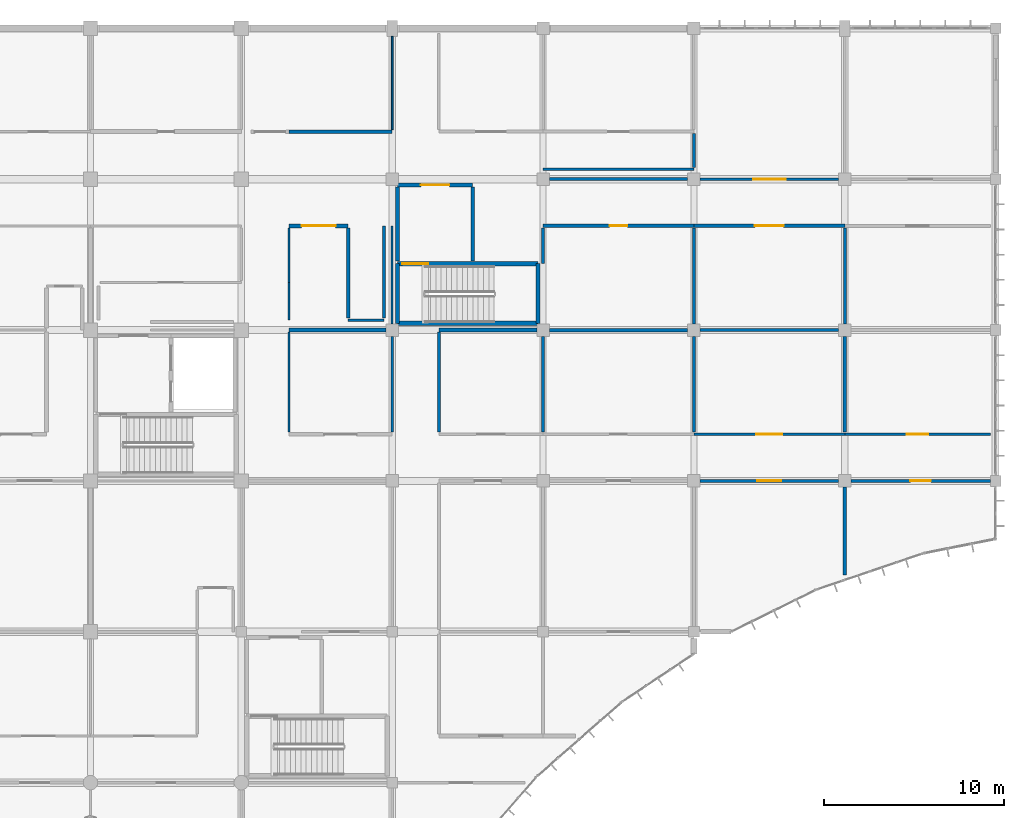
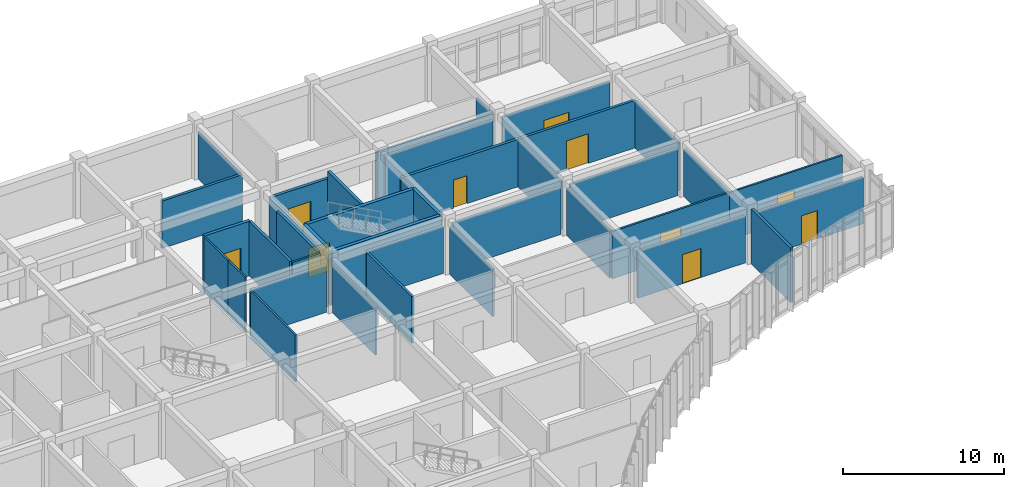
# One storey, part 120 of 144: 40 walls, 10 doors, 10 openings.
"""IFC4 building model written with IfcOpenShell, lengths in metres."""

from ifc_helpers import new_model, si_unit, direction, frame, frame_2d, origin, place, context, subcontext, project, spatial, rectangle, extrude, material, layer, layer_set, type_object, element, fill, save


model = new_model("IFC4")

# Units and contexts
model_context = context("Model", 3, precision=1e-05, world=origin(), true_north=direction((0.0, 1.0)))
body_context = subcontext(model_context, "Body", "Model", "MODEL_VIEW")
ifc_project = project(units=[si_unit("LENGTHUNIT", "METRE"), si_unit("AREAUNIT", "SQUARE_METRE"), si_unit("VOLUMEUNIT", "CUBIC_METRE"), si_unit("PLANEANGLEUNIT", "RADIAN"), si_unit("MASSUNIT", "GRAM", prefix="KILO")], contexts=[model_context])

# Site, building, storey
site_placement = place(None, origin())
site = spatial("IfcSite", under=ifc_project, at=site_placement, CompositionType="ELEMENT")
building_placement = place(site_placement, origin())
building = spatial("IfcBuilding", under=site, at=building_placement, Name="Bramfleet General Hospital", CompositionType="ELEMENT")
storey_placement = place(building_placement, frame((0.0, 0.0, 4.800048828125)))
storey = spatial("IfcBuildingStorey", under=building, at=storey_placement, Name="L01", CompositionType="ELEMENT", Elevation=4.800048828125)

# Wall
ifc_material_1 = material(Name="Concrete C35/45", Category="concrete")
ifc_layer_1 = layer(ifc_material_1, 0.219970703125, Name="WT-IW-01")
ifc_layer_set_1 = layer_set([ifc_layer_1], Name="Concrete C35/45")
wall_type_1 = type_object("IfcWallType", Name="WT-IW-01", PredefinedType="PARTITIONING", material=ifc_layer_set_1)
wall_1_placement = place(storey_placement, frame((128.64990234375, 100.800048828125, 0.0), z_axis=(0.0, 0.0, 1.0), x_axis=(1.0, 0.0, 0.0)))
element("IfcWall", 1, at=wall_1_placement, inside=storey, type_object=wall_type_1, Name="L01 Interior Partition IW-L01-1525", PredefinedType="PARTITIONING", context=body_context, shape_type="SweptSolid", body=[
    extrude(rectangle(XDim=5.405029296875, YDim=0.219970703125, at=frame_2d((2.70263671875, 0.0))), origin(), (0.0, 0.0, 1.0), 3.5400390625),
])

# Wall, opening, door
wall_2_placement = place(storey_placement, frame((128.64990234375, 106.60009765625, 0.0), z_axis=(0.0, 0.0, 1.0), x_axis=(1.0, 0.0, 0.0)))
wall_2 = element("IfcWall", 2, at=wall_2_placement, inside=storey, type_object=wall_type_1, Name="L01 Interior Partition IW-L01-1549", PredefinedType="PARTITIONING", context=body_context, shape_type="SweptSolid", body=[
    extrude(rectangle(XDim=3.300048828125, YDim=0.219970703125, at=frame_2d((1.64990234375, 0.0))), origin(), (0.0, 0.0, 1.0), 4.139892578125),
])
opening_1_placement = place(wall_2_placement, frame((0.699951171875, 0.0, 0.0)))
opening_1 = element("IfcOpeningElement", 3, at=opening_1_placement, cuts=wall_2, Name="Opening D0806", PredefinedType="OPENING", context=body_context, shape_type="SweptSolid", body=[
    extrude(rectangle(XDim=1.89990234375, YDim=2.300048828125, at=frame_2d((0.949951171875, 1.14990234375))), frame((0.0, 0.119873046875, 0.0), z_axis=(0.0, -1.0, 0.0), x_axis=(1.0, 0.0, 0.0)), (0.0, 0.0, 1.0), 0.239990234375),
])
ifc_material_2 = material(Name="Stainless steel and acoustic timber leaf", Category="steel")
door_type_1 = type_object("IfcDoorType", Name="DR-D-06", OperationType="NOTDEFINED", PredefinedType="DOOR", material=ifc_material_2)
door_1_placement = place(opening_1_placement, origin())
door_1 = element("IfcDoor", 4, at=door_1_placement, inside=storey, type_object=door_type_1, Name="Pathology and Clinical Laboratory L01-1512A Door D0806", OperationType="DOUBLE_SWING_LEFT", OverallHeight=2.300048828125, OverallWidth=1.89990234375, PredefinedType="DOOR", context=body_context, shape_type="SweptSolid", body=[
    extrude(rectangle(XDim=1.89990234375, YDim=2.300048828125, at=frame_2d((0.949951171875, 1.14990234375))), frame((0.0, 0.02490234375, 0.0), z_axis=(0.0, -1.0, 0.0), x_axis=(1.0, 0.0, 0.0)), (0.0, 0.0, 1.0), 0.050048828125),
])
fill(opening_1, door_1)

# Walls
ifc_layer_2 = layer(ifc_material_1, 0.205078125, Name="WT-IW-02")
ifc_layer_set_2 = layer_set([ifc_layer_2], Name="Concrete C35/45")
wall_type_2 = type_object("IfcWallType", Name="WT-IW-02", PredefinedType="PARTITIONING", material=ifc_layer_set_2)
wall_3_placement = place(storey_placement, frame((138.8798828125, 104.639892578125, 0.0), z_axis=(0.0, 0.0, 1.0), x_axis=(0.0, 1.0, 0.0)))
element("IfcWall", 5, at=wall_3_placement, inside=storey, type_object=wall_type_2, Name="L01 C9 Lobby East Shaft Wall", PredefinedType="PARTITIONING", context=body_context, shape_type="SweptSolid", body=[
    extrude(rectangle(XDim=4.1201171875, YDim=0.205078125, at=frame_2d((2.06005859375, 0.0))), origin(), (0.0, 0.0, 1.0), 4.139892578125),
])
wall_4_placement = place(storey_placement, frame((134.699951171875, 104.639892578125, 0.0), z_axis=(0.0, 0.0, 1.0), x_axis=(0.0, 1.0, 0.0)))
element("IfcWall", 6, at=wall_4_placement, inside=storey, type_object=wall_type_2, Name="L01 C9 Lobby West Compartment Wall", PredefinedType="PARTITIONING", context=body_context, shape_type="SweptSolid", body=[
    extrude(rectangle(XDim=4.1201171875, YDim=0.205078125, at=frame_2d((2.06005859375, 0.0))), origin(), (0.0, 0.0, 1.0), 3.58984375),
])

# Wall, opening, door
wall_5_placement = place(storey_placement, frame((134.699951171875, 108.8798828125, 0.0), z_axis=(0.0, 0.0, 1.0), x_axis=(1.0, 0.0, 0.0)))
wall_5 = element("IfcWall", 7, at=wall_5_placement, inside=storey, type_object=wall_type_2, Name="L01 C9 Lobby North Compartment Wall", PredefinedType="PARTITIONING", context=body_context, shape_type="SweptSolid", body=[
    extrude(rectangle(XDim=4.179931640625, YDim=0.205078125, at=frame_2d((2.08984375, 0.0))), origin(), (0.0, 0.0, 1.0), 3.5400390625),
])
opening_2_placement = place(wall_5_placement, frame((1.2900390625, 0.0, 0.0)))
opening_2 = element("IfcOpeningElement", 8, at=opening_2_placement, cuts=wall_5, Name="Opening D0112", PredefinedType="OPENING", context=body_context, shape_type="SweptSolid", body=[
    extrude(rectangle(XDim=1.60009765625, YDim=2.25, at=frame_2d((0.800048828125, 1.125))), frame((0.0, 0.112548828125, 0.0), z_axis=(0.0, -1.0, 0.0), x_axis=(1.0, 0.0, 0.0)), (0.0, 0.0, 1.0), 0.22509765625),
])
door_type_2 = type_object("IfcDoorType", Name="DR-D-04", OperationType="NOTDEFINED", PredefinedType="DOOR", material=ifc_material_2)
door_2_placement = place(opening_2_placement, origin())
door_2 = element("IfcDoor", 9, at=door_2_placement, inside=storey, type_object=door_type_2, Name="L01 C9 Lobby Fire Door D0112", OperationType="DOUBLE_SWING_LEFT", OverallHeight=2.25, OverallWidth=1.60009765625, PredefinedType="DOOR", context=body_context, shape_type="SweptSolid", body=[
    extrude(rectangle(XDim=1.60009765625, YDim=2.25, at=frame_2d((0.800048828125, 1.125))), frame((0.0, 0.02490234375, 0.0), z_axis=(0.0, -1.0, 0.0), x_axis=(1.0, 0.0, 0.0)), (0.0, 0.0, 1.0), 0.050048828125),
])
fill(opening_2, door_2)

# Wall
wall_6_placement = place(storey_placement, frame((137.0, 100.800048828125, 0.0), z_axis=(0.0, 0.0, 1.0), x_axis=(1.0, 0.0, 0.0)))
element("IfcWall", 10, at=wall_6_placement, inside=storey, type_object=wall_type_2, Name="L01 Interior Partition IW-L01-1526", PredefinedType="PARTITIONING", context=body_context, shape_type="SweptSolid", body=[
    extrude(rectangle(XDim=5.455078125, YDim=0.205078125, at=frame_2d((2.7275390625, 0.0))), origin(), (0.0, 0.0, 1.0), 3.5400390625),
])

# Wall, opening, door
wall_7_placement = place(storey_placement, frame((142.800048828125, 106.60009765625, 0.0), z_axis=(0.0, 0.0, 1.0), x_axis=(1.0, 0.0, 0.0)))
wall_7 = element("IfcWall", 11, at=wall_7_placement, inside=storey, type_object=wall_type_2, Name="L01 Interior Partition IW-L01-1550", PredefinedType="PARTITIONING", context=body_context, shape_type="SweptSolid", body=[
    extrude(rectangle(XDim=8.39990234375, YDim=0.205078125, at=frame_2d((4.199951171875, 0.0))), origin(), (0.0, 0.0, 1.0), 3.58984375),
])
opening_3_placement = place(wall_7_placement, frame((3.7099609375, 0.0, 0.0)))
opening_3 = element("IfcOpeningElement", 12, at=opening_3_placement, cuts=wall_7, Name="Opening D0826", PredefinedType="OPENING", context=body_context, shape_type="SweptSolid", body=[
    extrude(rectangle(XDim=0.97998046875, YDim=2.1201171875, at=frame_2d((0.489990234375, 1.06005859375))), frame((0.0, 0.112548828125, 0.0), z_axis=(0.0, -1.0, 0.0), x_axis=(1.0, 0.0, 0.0)), (0.0, 0.0, 1.0), 0.22509765625),
])
door_type_3 = type_object("IfcDoorType", Name="DR-D-26", OperationType="NOTDEFINED", PredefinedType="DOOR", material=ifc_material_2)
door_3_placement = place(opening_3_placement, origin())
door_3 = element("IfcDoor", 13, at=door_3_placement, inside=storey, type_object=door_type_3, Name="Pathology and Clinical Laboratory L01-1712A Door D0826", OperationType="SINGLE_SWING_LEFT", OverallHeight=2.1201171875, OverallWidth=0.97998046875, PredefinedType="DOOR", context=body_context, shape_type="SweptSolid", body=[
    extrude(rectangle(XDim=0.97998046875, YDim=2.1201171875, at=frame_2d((0.489990234375, 1.06005859375))), frame((0.0, 0.02490234375, 0.0), z_axis=(0.0, -1.0, 0.0), x_axis=(1.0, 0.0, 0.0)), (0.0, 0.0, 1.0), 0.050048828125),
])
fill(opening_3, door_3)

# Wall
ifc_layer_3 = layer(ifc_material_1, 0.18994140625, Name="WT-IW-03")
ifc_layer_set_3 = layer_set([ifc_layer_3], Name="Concrete C35/45")
wall_type_3 = type_object("IfcWallType", Name="WT-IW-03", PredefinedType="PARTITIONING", material=ifc_layer_set_3)
wall_8_placement = place(storey_placement, frame((143.14501953125, 100.800048828125, 0.0), z_axis=(0.0, 0.0, 1.0), x_axis=(1.0, 0.0, 0.0)))
element("IfcWall", 14, at=wall_8_placement, inside=storey, type_object=wall_type_3, Name="L01 Interior Partition IW-L01-1527", PredefinedType="PARTITIONING", context=body_context, shape_type="SweptSolid", body=[
    extrude(rectangle(XDim=7.7099609375, YDim=0.18994140625, at=frame_2d((3.85498046875, 0.0))), origin(), (0.0, 0.0, 1.0), 3.5400390625),
])

# Wall, opening, door
wall_9_placement = place(storey_placement, frame((151.199951171875, 106.60009765625, 0.0), z_axis=(0.0, 0.0, 1.0), x_axis=(1.0, 0.0, 0.0)))
wall_9 = element("IfcWall", 15, at=wall_9_placement, inside=storey, type_object=wall_type_3, Name="L01 Interior Partition IW-L01-1551", PredefinedType="PARTITIONING", context=body_context, shape_type="SweptSolid", body=[
    extrude(rectangle(XDim=8.400146484375, YDim=0.18994140625, at=frame_2d((4.2001953125, 0.0))), origin(), (0.0, 0.0, 1.0), 3.58984375),
])
opening_4_placement = place(wall_9_placement, frame((3.39990234375, 0.0, 0.0)))
opening_4 = element("IfcOpeningElement", 16, at=opening_4_placement, cuts=wall_9, Name="Opening D0836", PredefinedType="OPENING", context=body_context, shape_type="SweptSolid", body=[
    extrude(rectangle(XDim=1.60009765625, YDim=2.25, at=frame_2d((0.800048828125, 1.125))), frame((0.0, 0.10498046875, 0.0), z_axis=(0.0, -1.0, 0.0), x_axis=(1.0, 0.0, 0.0)), (0.0, 0.0, 1.0), 0.2099609375),
])
door_4_placement = place(opening_4_placement, origin())
door_4 = element("IfcDoor", 17, at=door_4_placement, inside=storey, type_object=door_type_2, Name="Pathology and Clinical Laboratory L01-1812A Door D0836", OperationType="DOUBLE_SWING_LEFT", OverallHeight=2.25, OverallWidth=1.60009765625, PredefinedType="DOOR", context=body_context, shape_type="SweptSolid", body=[
    extrude(rectangle(XDim=1.60009765625, YDim=2.25, at=frame_2d((0.800048828125, 1.125))), frame((0.0, 0.02490234375, 0.0), z_axis=(0.0, -1.0, 0.0), x_axis=(1.0, 0.0, 0.0)), (0.0, 0.0, 1.0), 0.050048828125),
])
fill(opening_4, door_4)

# Walls
wall_10_placement = place(storey_placement, frame((128.64990234375, 111.85009765625, 0.0), z_axis=(0.0, 0.0, 1.0), x_axis=(1.0, 0.0, 0.0)))
element("IfcWall", 18, at=wall_10_placement, inside=storey, type_object=wall_type_3, Name="L01 Interior Partition IW-L01-1575", PredefinedType="PARTITIONING", context=body_context, shape_type="SweptSolid", body=[
    extrude(rectangle(XDim=5.75, YDim=0.18994140625, at=frame_2d((2.875, 0.0))), origin(), (0.0, 0.0, 1.0), 3.58984375),
])
wall_11_placement = place(storey_placement, frame((131.949951171875, 101.465087890625, 0.0), z_axis=(0.0, 0.0, 1.0), x_axis=(0.0, 1.0, 0.0)))
element("IfcWall", 19, at=wall_11_placement, inside=storey, type_object=wall_type_3, Name="L01 Interior Partition IW-L01-1875", PredefinedType="PARTITIONING", context=body_context, shape_type="SweptSolid", body=[
    extrude(rectangle(XDim=5.02001953125, YDim=0.18994140625, at=frame_2d((2.510009765625, 0.0))), origin(), (0.0, 0.0, 1.0), 4.139892578125),
])
wall_12_placement = place(storey_placement, frame((159.60009765625, 87.17431640625, 0.0), z_axis=(0.0, 0.0, 1.0), x_axis=(0.0, 1.0, 0.0)))
element("IfcWall", 20, at=wall_12_placement, inside=storey, type_object=wall_type_3, Name="L01 Interior Partition IW-L01-1923", PredefinedType="PARTITIONING", context=body_context, shape_type="SweptSolid", body=[
    extrude(rectangle(XDim=4.880615234375, YDim=0.18994140625, at=frame_2d((2.4404296875, 0.0))), origin(), (0.0, 0.0, 1.0), 4.139892578125),
])

# Wall, opening, door
ifc_layer_4 = layer(ifc_material_1, 0.179931640625, Name="WT-IW-04")
ifc_layer_set_4 = layer_set([ifc_layer_4], Name="Concrete C35/45")
wall_type_4 = type_object("IfcWallType", Name="WT-IW-04", PredefinedType="PARTITIONING", material=ifc_layer_set_4)
wall_13_placement = place(storey_placement, frame((151.544921875, 92.39990234375, 0.0), z_axis=(0.0, 0.0, 1.0), x_axis=(1.0, 0.0, 0.0)))
wall_13 = element("IfcWall", 21, at=wall_13_placement, inside=storey, type_object=wall_type_4, Name="L01 Interior Partition IW-L01-1492", PredefinedType="PARTITIONING", context=body_context, shape_type="SweptSolid", body=[
    extrude(rectangle(XDim=7.7099609375, YDim=0.179931640625, at=frame_2d((3.85498046875, 0.0))), origin(), (0.0, 0.0, 1.0), 3.5400390625),
])
opening_5_placement = place(wall_13_placement, frame((3.179931640625, 0.0, 0.0)))
opening_5 = element("IfcOpeningElement", 22, at=opening_5_placement, cuts=wall_13, Name="Opening D0834", PredefinedType="OPENING", context=body_context, shape_type="SweptSolid", body=[
    extrude(rectangle(XDim=1.35009765625, YDim=2.199951171875, at=frame_2d((0.675048828125, 1.10009765625))), frame((0.0, 0.099853515625, 0.0), z_axis=(0.0, -1.0, 0.0), x_axis=(1.0, 0.0, 0.0)), (0.0, 0.0, 1.0), 0.199951171875),
])
door_type_4 = type_object("IfcDoorType", Name="DR-D-02", OperationType="NOTDEFINED", PredefinedType="DOOR", material=ifc_material_2)
door_5_placement = place(opening_5_placement, origin())
door_5 = element("IfcDoor", 23, at=door_5_placement, inside=storey, type_object=door_type_4, Name="Pathology and Clinical Laboratory L01-1810A Door D0834", OperationType="SINGLE_SWING_LEFT", OverallHeight=2.199951171875, OverallWidth=1.35009765625, PredefinedType="DOOR", context=body_context, shape_type="SweptSolid", body=[
    extrude(rectangle(XDim=1.35009765625, YDim=2.199951171875, at=frame_2d((0.675048828125, 1.10009765625))), frame((0.0, 0.02490234375, 0.0), z_axis=(0.0, -1.0, 0.0), x_axis=(1.0, 0.0, 0.0)), (0.0, 0.0, 1.0), 0.050048828125),
])
fill(opening_5, door_5)

# Walls
wall_14_placement = place(storey_placement, frame((151.544921875, 100.800048828125, 0.0), z_axis=(0.0, 0.0, 1.0), x_axis=(1.0, 0.0, 0.0)))
element("IfcWall", 24, at=wall_14_placement, inside=storey, type_object=wall_type_4, Name="L01 Interior Partition IW-L01-1528", PredefinedType="PARTITIONING", context=body_context, shape_type="SweptSolid", body=[
    extrude(rectangle(XDim=7.7099609375, YDim=0.179931640625, at=frame_2d((3.85498046875, 0.0))), origin(), (0.0, 0.0, 1.0), 3.5400390625),
])
wall_15_placement = place(storey_placement, frame((133.949951171875, 101.465087890625, 0.0), z_axis=(0.0, 0.0, 1.0), x_axis=(0.0, 1.0, 0.0)))
element("IfcWall", 25, at=wall_15_placement, inside=storey, type_object=wall_type_4, Name="L01 Interior Partition IW-L01-1876", PredefinedType="PARTITIONING", context=body_context, shape_type="SweptSolid", body=[
    extrude(rectangle(XDim=5.135009765625, YDim=0.179931640625, at=frame_2d((2.5673828125, 0.0))), origin(), (0.0, 0.0, 1.0), 4.139892578125),
])
wall_16_placement = place(storey_placement, frame((159.60009765625, 95.114990234375, 0.0), z_axis=(0.0, 0.0, 1.0), x_axis=(0.0, 1.0, 0.0)))
element("IfcWall", 26, at=wall_16_placement, inside=storey, type_object=wall_type_4, Name="L01 Interior Partition IW-L01-1924", PredefinedType="PARTITIONING", context=body_context, shape_type="SweptSolid", body=[
    extrude(rectangle(XDim=5.340087890625, YDim=0.179931640625, at=frame_2d((2.669921875, 0.0))), origin(), (0.0, 0.0, 1.0), 3.58984375),
])

# Wall, opening, door
ifc_material_3 = material(Name="Gypsum plasterboard on acoustic steel studs", Category="steel")
ifc_layer_5 = layer(ifc_material_3, 0.169921875, Name="WT-IW-05")
ifc_layer_set_5 = layer_set([ifc_layer_5], Name="Gypsum plasterboard on acoustic steel studs")
wall_type_5 = type_object("IfcWallType", Name="WT-IW-05", PredefinedType="PARTITIONING", material=ifc_layer_set_5)
wall_17_placement = place(storey_placement, frame((159.945068359375, 92.39990234375, 0.0), z_axis=(0.0, 0.0, 1.0), x_axis=(1.0, 0.0, 0.0)))
wall_17 = element("IfcWall", 27, at=wall_17_placement, inside=storey, type_object=wall_type_5, Name="L01 Interior Partition IW-L01-1493", PredefinedType="PARTITIONING", context=body_context, shape_type="SweptSolid", body=[
    extrude(rectangle(XDim=7.760009765625, YDim=0.169921875, at=frame_2d((3.8798828125, 0.0))), origin(), (0.0, 0.0, 1.0), 3.5400390625),
])
opening_6_placement = place(wall_17_placement, frame((3.304931640625, 0.0, 0.0)))
opening_6 = element("IfcOpeningElement", 28, at=opening_6_placement, cuts=wall_17, Name="Opening D0844", PredefinedType="OPENING", context=body_context, shape_type="SweptSolid", body=[
    extrude(rectangle(XDim=1.14990234375, YDim=2.14990234375, at=frame_2d((0.574951171875, 1.074951171875))), frame((0.0, 0.094970703125, 0.0), z_axis=(0.0, -1.0, 0.0), x_axis=(1.0, 0.0, 0.0)), (0.0, 0.0, 1.0), 0.18994140625),
])
door_type_5 = type_object("IfcDoorType", Name="DR-D-12", OperationType="NOTDEFINED", PredefinedType="DOOR", material=ifc_material_2)
door_6_placement = place(opening_6_placement, origin())
door_6 = element("IfcDoor", 29, at=door_6_placement, inside=storey, type_object=door_type_5, Name="Pathology and Clinical Laboratory L01-1910A Door D0844", OperationType="SINGLE_SWING_LEFT", OverallHeight=2.14990234375, OverallWidth=1.14990234375, PredefinedType="DOOR", context=body_context, shape_type="SweptSolid", body=[
    extrude(rectangle(XDim=1.14990234375, YDim=2.14990234375, at=frame_2d((0.574951171875, 1.074951171875))), frame((0.0, 0.02490234375, 0.0), z_axis=(0.0, -1.0, 0.0), x_axis=(1.0, 0.0, 0.0)), (0.0, 0.0, 1.0), 0.050048828125),
])
fill(opening_6, door_6)

# Walls
wall_18_placement = place(storey_placement, frame((143.14501953125, 109.199951171875, 0.0), z_axis=(0.0, 0.0, 1.0), x_axis=(1.0, 0.0, 0.0)))
element("IfcWall", 30, at=wall_18_placement, inside=storey, type_object=wall_type_5, Name="L01 Interior Partition IW-L01-1565", PredefinedType="PARTITIONING", context=body_context, shape_type="SweptSolid", body=[
    extrude(rectangle(XDim=7.7099609375, YDim=0.169921875, at=frame_2d((3.85498046875, 0.0))), origin(), (0.0, 0.0, 1.0), 3.5400390625),
])
for number, where, z_axis, x_axis, name in (
    (31, (151.199951171875, 95.114990234375, 0.0), (0.0, 0.0, 1.0), (0.0, 1.0, 0.0), "L01 Interior Partition IW-L01-1913"),
    (32, (159.60009765625, 101.14501953125, 0.0), (0.0, 0.0, 1.0), (0.0, 1.0, 0.0), "L01 Interior Partition IW-L01-1925"),
):
    element("IfcWall", number, at=place(storey_placement, frame(where, z_axis=z_axis, x_axis=x_axis)), inside=storey, type_object=wall_type_5, Name=name, PredefinedType="PARTITIONING", context=body_context, shape_type="SweptSolid", body=[
        extrude(rectangle(XDim=5.340087890625, YDim=0.169921875, at=frame_2d((2.669921875, 0.0))), origin(), (0.0, 0.0, 1.0), 3.58984375),
    ])

# Wall, opening, door
ifc_layer_6 = layer(ifc_material_3, 0.159912109375, Name="WT-IW-06")
ifc_layer_set_6 = layer_set([ifc_layer_6], Name="Gypsum plasterboard on acoustic steel studs")
wall_type_6 = type_object("IfcWallType", Name="WT-IW-06", PredefinedType="PARTITIONING", material=ifc_layer_set_6)
wall_19_placement = place(storey_placement, frame((151.544921875, 109.199951171875, 0.0), z_axis=(0.0, 0.0, 1.0), x_axis=(1.0, 0.0, 0.0)))
wall_19 = element("IfcWall", 33, at=wall_19_placement, inside=storey, type_object=wall_type_6, Name="L01 Interior Partition IW-L01-1566", PredefinedType="PARTITIONING", context=body_context, shape_type="SweptSolid", body=[
    extrude(rectangle(XDim=7.7099609375, YDim=0.159912109375, at=frame_2d((3.85498046875, 0.0))), origin(), (0.0, 0.0, 1.0), 3.5400390625),
])
opening_7_placement = place(wall_19_placement, frame((2.955078125, 0.0, 0.0)))
opening_7 = element("IfcOpeningElement", 34, at=opening_7_placement, cuts=wall_19, Name="Opening D0837", PredefinedType="OPENING", context=body_context, shape_type="SweptSolid", body=[
    extrude(rectangle(XDim=1.800048828125, YDim=2.25, at=frame_2d((0.89990234375, 1.125))), frame((0.0, 0.08984375, 0.0), z_axis=(0.0, -1.0, 0.0), x_axis=(1.0, 0.0, 0.0)), (0.0, 0.0, 1.0), 0.179931640625),
])
door_type_6 = type_object("IfcDoorType", Name="DR-D-05", OperationType="NOTDEFINED", PredefinedType="DOOR", material=ifc_material_2)
door_7_placement = place(opening_7_placement, origin())
door_7 = element("IfcDoor", 35, at=door_7_placement, inside=storey, type_object=door_type_6, Name="Pathology and Clinical Laboratory L01-1813A Door D0837", OperationType="DOUBLE_SWING_RIGHT", OverallHeight=2.25, OverallWidth=1.800048828125, PredefinedType="DOOR", context=body_context, shape_type="SweptSolid", body=[
    extrude(rectangle(XDim=1.800048828125, YDim=2.25, at=frame_2d((0.89990234375, 1.125))), frame((0.0, 0.02490234375, 0.0), z_axis=(0.0, -1.0, 0.0), x_axis=(1.0, 0.0, 0.0)), (0.0, 0.0, 1.0), 0.050048828125),
])
fill(opening_7, door_7)

# Walls
wall_20_placement = place(storey_placement, frame((137.0, 95.114990234375, 0.0), z_axis=(0.0, 0.0, 1.0), x_axis=(0.0, 1.0, 0.0)))
element("IfcWall", 36, at=wall_20_placement, inside=storey, type_object=wall_type_6, Name="L01 Interior Partition IW-L01-1890", PredefinedType="PARTITIONING", context=body_context, shape_type="SweptSolid", body=[
    extrude(rectangle(XDim=5.570068359375, YDim=0.159912109375, at=frame_2d((2.78515625, 0.0))), origin(), (0.0, 0.0, 1.0), 3.5400390625),
])
for number, where, z_axis, x_axis, name in (
    (37, (142.800048828125, 95.114990234375, 0.0), (0.0, 0.0, 1.0), (0.0, 1.0, 0.0), "L01 Interior Partition IW-L01-1902"),
    (38, (151.199951171875, 101.14501953125, 0.0), (0.0, 0.0, 1.0), (0.0, 1.0, 0.0), "L01 Interior Partition IW-L01-1914"),
):
    element("IfcWall", number, at=place(storey_placement, frame(where, z_axis=z_axis, x_axis=x_axis)), inside=storey, type_object=wall_type_6, Name=name, PredefinedType="PARTITIONING", context=body_context, shape_type="SweptSolid", body=[
        extrude(rectangle(XDim=5.340087890625, YDim=0.159912109375, at=frame_2d((2.669921875, 0.0))), origin(), (0.0, 0.0, 1.0), 3.58984375),
    ])
ifc_layer_7 = layer(ifc_material_3, 0.14990234375, Name="WT-IW-07")
ifc_layer_set_7 = layer_set([ifc_layer_7], Name="Gypsum plasterboard on acoustic steel studs")
wall_type_7 = type_object("IfcWallType", Name="WT-IW-07", PredefinedType="PARTITIONING", material=ifc_layer_set_7)
wall_21_placement = place(storey_placement, frame((142.800048828125, 104.5, 0.0), z_axis=(0.0, 0.0, 1.0), x_axis=(0.0, 1.0, 0.0)))
element("IfcWall", 39, at=wall_21_placement, inside=storey, type_object=wall_type_7, Name="L01 Interior Partition IW-L01-1903", PredefinedType="PARTITIONING", context=body_context, shape_type="SweptSolid", body=[
    extrude(rectangle(XDim=1.985107421875, YDim=0.14990234375, at=frame_2d((0.99267578125, 0.0))), origin(), (0.0, 0.0, 1.0), 3.58984375),
])
wall_22_placement = place(storey_placement, frame((151.199951171875, 109.864990234375, 0.0), z_axis=(0.0, 0.0, 1.0), x_axis=(0.0, 1.0, 0.0)))
element("IfcWall", 40, at=wall_22_placement, inside=storey, type_object=wall_type_7, Name="L01 Interior Partition IW-L01-1915", PredefinedType="PARTITIONING", context=body_context, shape_type="SweptSolid", body=[
    extrude(rectangle(XDim=1.8701171875, YDim=0.14990234375, at=frame_2d((0.93505859375, 0.0))), origin(), (0.0, 0.0, 1.0), 3.58984375),
])

# Wall, opening, door
ifc_layer_8 = layer(ifc_material_3, 0.139892578125, Name="WT-IW-08")
ifc_layer_set_8 = layer_set([ifc_layer_8], Name="Gypsum plasterboard on acoustic steel studs")
wall_type_8 = type_object("IfcWallType", Name="WT-IW-08", PredefinedType="PARTITIONING", material=ifc_layer_set_8)
wall_23_placement = place(storey_placement, frame((151.199951171875, 95.0, 0.0), z_axis=(0.0, 0.0, 1.0), x_axis=(1.0, 0.0, 0.0)))
wall_23 = element("IfcWall", 41, at=wall_23_placement, inside=storey, type_object=wall_type_8, Name="L01 Interior Partition IW-L01-1508", PredefinedType="PARTITIONING", context=body_context, shape_type="SweptSolid", body=[
    extrude(rectangle(XDim=8.400146484375, YDim=0.139892578125, at=frame_2d((4.2001953125, 0.0))), origin(), (0.0, 0.0, 1.0), 3.58984375),
])
opening_8_placement = place(wall_23_placement, frame((3.47509765625, 0.0, 0.0)))
opening_8 = element("IfcOpeningElement", 42, at=opening_8_placement, cuts=wall_23, Name="Opening D0835", PredefinedType="OPENING", context=body_context, shape_type="SweptSolid", body=[
    extrude(rectangle(XDim=1.449951171875, YDim=2.199951171875, at=frame_2d((0.72509765625, 1.10009765625))), frame((0.0, 0.079833984375, 0.0), z_axis=(0.0, -1.0, 0.0), x_axis=(1.0, 0.0, 0.0)), (0.0, 0.0, 1.0), 0.159912109375),
])
door_type_7 = type_object("IfcDoorType", Name="DR-D-03", OperationType="NOTDEFINED", PredefinedType="DOOR", material=ifc_material_2)
door_8_placement = place(opening_8_placement, origin())
door_8 = element("IfcDoor", 43, at=door_8_placement, inside=storey, type_object=door_type_7, Name="Pathology and Clinical Laboratory L01-1811A Door D0835", OperationType="SINGLE_SWING_RIGHT", OverallHeight=2.199951171875, OverallWidth=1.449951171875, PredefinedType="DOOR", context=body_context, shape_type="SweptSolid", body=[
    extrude(rectangle(XDim=1.449951171875, YDim=2.199951171875, at=frame_2d((0.72509765625, 1.10009765625))), frame((0.0, 0.02490234375, 0.0), z_axis=(0.0, -1.0, 0.0), x_axis=(1.0, 0.0, 0.0)), (0.0, 0.0, 1.0), 0.050048828125),
])
fill(opening_8, door_8)

# Wall
wall_24_placement = place(storey_placement, frame((142.800048828125, 109.75, 0.0), z_axis=(0.0, 0.0, 1.0), x_axis=(1.0, 0.0, 0.0)))
element("IfcWall", 44, at=wall_24_placement, inside=storey, type_object=wall_type_8, Name="L01 Interior Partition IW-L01-1568", PredefinedType="PARTITIONING", context=body_context, shape_type="SweptSolid", body=[
    extrude(rectangle(XDim=8.39990234375, YDim=0.139892578125, at=frame_2d((4.199951171875, 0.0))), origin(), (0.0, 0.0, 1.0), 3.58984375),
])

# Wall, opening, door
ifc_layer_9 = layer(ifc_material_3, 0.1298828125, Name="WT-IW-09")
ifc_layer_set_9 = layer_set([ifc_layer_9], Name="Gypsum plasterboard on acoustic steel studs")
wall_type_9 = type_object("IfcWallType", Name="WT-IW-09", PredefinedType="PARTITIONING", material=ifc_layer_set_9)
wall_25_placement = place(storey_placement, frame((159.60009765625, 95.0, 0.0), z_axis=(0.0, 0.0, 1.0), x_axis=(1.0, 0.0, 0.0)))
wall_25 = element("IfcWall", 45, at=wall_25_placement, inside=storey, type_object=wall_type_9, Name="L01 Interior Partition IW-L01-1509", PredefinedType="PARTITIONING", context=body_context, shape_type="SweptSolid", body=[
    extrude(rectangle(XDim=8.119873046875, YDim=0.1298828125, at=frame_2d((4.06005859375, 0.0))), origin(), (0.0, 0.0, 1.0), 3.58984375),
])
opening_9_placement = place(wall_25_placement, frame((3.4599609375, 0.0, 0.0)))
opening_9 = element("IfcOpeningElement", 46, at=opening_9_placement, cuts=wall_25, Name="Opening D0845", PredefinedType="OPENING", context=body_context, shape_type="SweptSolid", body=[
    extrude(rectangle(XDim=1.199951171875, YDim=2.14990234375, at=frame_2d((0.60009765625, 1.074951171875))), frame((0.0, 0.074951171875, 0.0), z_axis=(0.0, -1.0, 0.0), x_axis=(1.0, 0.0, 0.0)), (0.0, 0.0, 1.0), 0.14990234375),
])
door_type_8 = type_object("IfcDoorType", Name="DR-D-13", OperationType="NOTDEFINED", PredefinedType="DOOR", material=ifc_material_2)
door_9_placement = place(opening_9_placement, origin())
door_9 = element("IfcDoor", 47, at=door_9_placement, inside=storey, type_object=door_type_8, Name="Pathology and Clinical Laboratory L01-1911A Door D0845", OperationType="SINGLE_SWING_RIGHT", OverallHeight=2.14990234375, OverallWidth=1.199951171875, PredefinedType="DOOR", context=body_context, shape_type="SweptSolid", body=[
    extrude(rectangle(XDim=1.199951171875, YDim=2.14990234375, at=frame_2d((0.60009765625, 1.074951171875))), frame((0.0, 0.02490234375, 0.0), z_axis=(0.0, -1.0, 0.0), x_axis=(1.0, 0.0, 0.0)), (0.0, 0.0, 1.0), 0.050048828125),
])
fill(opening_9, door_9)

# Walls
wall_26_placement = place(storey_placement, frame((131.949951171875, 101.35009765625, 0.0), z_axis=(0.0, 0.0, 1.0), x_axis=(1.0, 0.0, 0.0)))
element("IfcWall", 48, at=wall_26_placement, inside=storey, type_object=wall_type_9, Name="L01 Interior Partition IW-L01-1533", PredefinedType="PARTITIONING", context=body_context, shape_type="SweptSolid", body=[
    extrude(rectangle(XDim=2.0, YDim=0.1298828125, at=frame_2d((1.0, 0.0))), origin(), (0.0, 0.0, 1.0), 4.139892578125),
])
wall_27_placement = place(storey_placement, frame((128.64990234375, 95.114990234375, 0.0), z_axis=(0.0, 0.0, 1.0), x_axis=(0.0, 1.0, 0.0)))
element("IfcWall", 49, at=wall_27_placement, inside=storey, type_object=wall_type_9, Name="L01 Interior Partition IW-L01-1869", PredefinedType="PARTITIONING", context=body_context, shape_type="SweptSolid", body=[
    extrude(rectangle(XDim=5.570068359375, YDim=0.1298828125, at=frame_2d((2.78515625, 0.0))), origin(), (0.0, 0.0, 1.0), 3.5400390625),
])
ifc_layer_10 = layer(ifc_material_3, 0.1201171875, Name="WT-IW-10")
ifc_layer_set_10 = layer_set([ifc_layer_10], Name="Gypsum plasterboard on acoustic steel studs")
wall_type_10 = type_object("IfcWallType", Name="WT-IW-10", PredefinedType="PARTITIONING", material=ifc_layer_set_10)
wall_28_placement = place(storey_placement, frame((128.64990234375, 101.35009765625, 0.0), z_axis=(0.0, 0.0, 1.0), x_axis=(0.0, 1.0, 0.0)))
element("IfcWall", 50, at=wall_28_placement, inside=storey, type_object=wall_type_10, Name="L01 Interior Partition IW-L01-1870", PredefinedType="PARTITIONING", context=body_context, shape_type="SweptSolid", body=[
    extrude(rectangle(XDim=2.099853515625, YDim=0.1201171875, at=frame_2d((1.0498046875, 0.0))), origin(), (0.0, 0.0, 1.0), 4.139892578125),
])
wall_29_placement = place(storey_placement, frame((134.39990234375, 95.114990234375, 0.0), z_axis=(0.0, 0.0, 1.0), x_axis=(0.0, 1.0, 0.0)))
element("IfcWall", 51, at=wall_29_placement, inside=storey, type_object=wall_type_10, Name="L01 Interior Partition IW-L01-1882", PredefinedType="PARTITIONING", context=body_context, shape_type="SweptSolid", body=[
    extrude(rectangle(XDim=5.340087890625, YDim=0.1201171875, at=frame_2d((2.669921875, 0.0))), origin(), (0.0, 0.0, 1.0), 3.58984375),
])
ifc_layer_11 = layer(ifc_material_3, 0.112060546875, Name="WT-IW-11")
ifc_layer_set_11 = layer_set([ifc_layer_11], Name="Gypsum plasterboard on acoustic steel studs")
wall_type_11 = type_object("IfcWallType", Name="WT-IW-11", PredefinedType="PARTITIONING", material=ifc_layer_set_11)
wall_30_placement = place(storey_placement, frame((128.64990234375, 103.449951171875, 0.0), z_axis=(0.0, 0.0, 1.0), x_axis=(0.0, 1.0, 0.0)))
element("IfcWall", 52, at=wall_30_placement, inside=storey, type_object=wall_type_11, Name="L01 Interior Partition IW-L01-1871", PredefinedType="PARTITIONING", context=body_context, shape_type="SweptSolid", body=[
    extrude(rectangle(XDim=3.03515625, YDim=0.112060546875, at=frame_2d((1.517578125, 0.0))), origin(), (0.0, 0.0, 1.0), 4.139892578125),
])
wall_31_placement = place(storey_placement, frame((134.39990234375, 101.14501953125, 0.0), z_axis=(0.0, 0.0, 1.0), x_axis=(0.0, 1.0, 0.0)))
element("IfcWall", 53, at=wall_31_placement, inside=storey, type_object=wall_type_11, Name="L01 Interior Partition IW-L01-1883", PredefinedType="PARTITIONING", context=body_context, shape_type="SweptSolid", body=[
    extrude(rectangle(XDim=5.455078125, YDim=0.112060546875, at=frame_2d((2.7275390625, 0.0))), origin(), (0.0, 0.0, 1.0), 3.58984375),
])
ifc_layer_12 = layer(ifc_material_3, 0.10009765625, Name="WT-IW-12")
ifc_layer_set_12 = layer_set([ifc_layer_12], Name="Gypsum plasterboard on acoustic steel studs")
wall_type_12 = type_object("IfcWallType", Name="WT-IW-12", PredefinedType="PARTITIONING", material=ifc_layer_set_12)
wall_32_placement = place(storey_placement, frame((134.39990234375, 111.965087890625, 0.0), z_axis=(0.0, 0.0, 1.0), x_axis=(0.0, 1.0, 0.0)))
element("IfcWall", 54, at=wall_32_placement, inside=storey, type_object=wall_type_12, Name="L01 Interior Partition IW-L01-1884", PredefinedType="PARTITIONING", context=body_context, shape_type="SweptSolid", body=[
    extrude(rectangle(XDim=5.18994140625, YDim=0.10009765625, at=frame_2d((2.594970703125, 0.0))), origin(), (0.0, 0.0, 1.0), 3.58984375),
])
ifc_material_4 = material(Name="Concrete C40/50", Category="concrete")
ifc_layer_13 = layer(ifc_material_4, 0.239990234375, Name="WT-SW-240")
ifc_layer_set_13 = layer_set([ifc_layer_13], Name="Concrete C40/50")
wall_type_13 = type_object("IfcWallType", Name="WT-SW-240", PredefinedType="SHEAR", material=ifc_layer_set_13)
wall_33_placement = place(storey_placement, frame((134.699951171875, 101.179931640625, 0.0), z_axis=(0.0, 0.0, 1.0), x_axis=(1.0, 0.0, 0.0)))
element("IfcWall", 55, at=wall_33_placement, inside=storey, type_object=wall_type_13, Name="L01 C9 South Stair Shear Wall", PredefinedType="SHEAR", context=body_context, shape_type="SweptSolid", body=[
    extrude(rectangle(XDim=7.820068359375, YDim=0.239990234375, at=frame_2d((3.91015625, 0.0))), origin(), (0.0, 0.0, 1.0), 4.14990234375),
])
for number, where, z_axis, x_axis, name in (
    (56, (134.699951171875, 101.179931640625, 0.0), (0.0, 0.0, 1.0), (0.0, 1.0, 0.0), "L01 C9 West Stair Shear Wall"),
    (57, (142.52001953125, 101.179931640625, 0.0), (0.0, 0.0, 1.0), (0.0, 1.0, 0.0), "L01 C9 East Stair Shear Wall"),
):
    element("IfcWall", number, at=place(storey_placement, frame(where, z_axis=z_axis, x_axis=x_axis)), inside=storey, type_object=wall_type_13, Name=name, PredefinedType="SHEAR", context=body_context, shape_type="SweptSolid", body=[
        extrude(rectangle(XDim=3.320068359375, YDim=0.239990234375, at=frame_2d((1.66015625, 0.0))), origin(), (0.0, 0.0, 1.0), 4.14990234375),
    ])

# Wall, opening, door
wall_34_placement = place(storey_placement, frame((134.699951171875, 104.5, 0.0), z_axis=(0.0, 0.0, 1.0), x_axis=(1.0, 0.0, 0.0)))
wall_34 = element("IfcWall", 58, at=wall_34_placement, inside=storey, type_object=wall_type_13, Name="L01 C9 Stair-Lobby Shear Wall", PredefinedType="SHEAR", context=body_context, shape_type="SweptSolid", body=[
    extrude(rectangle(XDim=7.820068359375, YDim=0.239990234375, at=frame_2d((3.91015625, 0.0))), origin(), (0.0, 0.0, 1.0), 4.14990234375),
])
opening_10_placement = place(wall_34_placement, frame((0.25, 0.0, 0.0)))
opening_10 = element("IfcOpeningElement", 59, at=opening_10_placement, cuts=wall_34, Name="Opening D0111", PredefinedType="OPENING", context=body_context, shape_type="SweptSolid", body=[
    extrude(rectangle(XDim=1.449951171875, YDim=2.199951171875, at=frame_2d((0.72509765625, 1.10009765625))), frame((0.0, 0.1298828125, 0.0), z_axis=(0.0, -1.0, 0.0), x_axis=(1.0, 0.0, 0.0)), (0.0, 0.0, 1.0), 0.260009765625),
])
door_10_placement = place(opening_10_placement, origin())
door_10 = element("IfcDoor", 60, at=door_10_placement, inside=storey, type_object=door_type_7, Name="L01 C9 Escape Stair Fire Door D0111", OperationType="SINGLE_SWING_RIGHT", OverallHeight=2.199951171875, OverallWidth=1.449951171875, PredefinedType="DOOR", context=body_context, shape_type="SweptSolid", body=[
    extrude(rectangle(XDim=1.449951171875, YDim=2.199951171875, at=frame_2d((0.72509765625, 1.10009765625))), frame((0.0, 0.02490234375, 0.0), z_axis=(0.0, -1.0, 0.0), x_axis=(1.0, 0.0, 0.0)), (0.0, 0.0, 1.0), 0.050048828125),
])
fill(opening_10, door_10)

save(model, "model.ifc")
